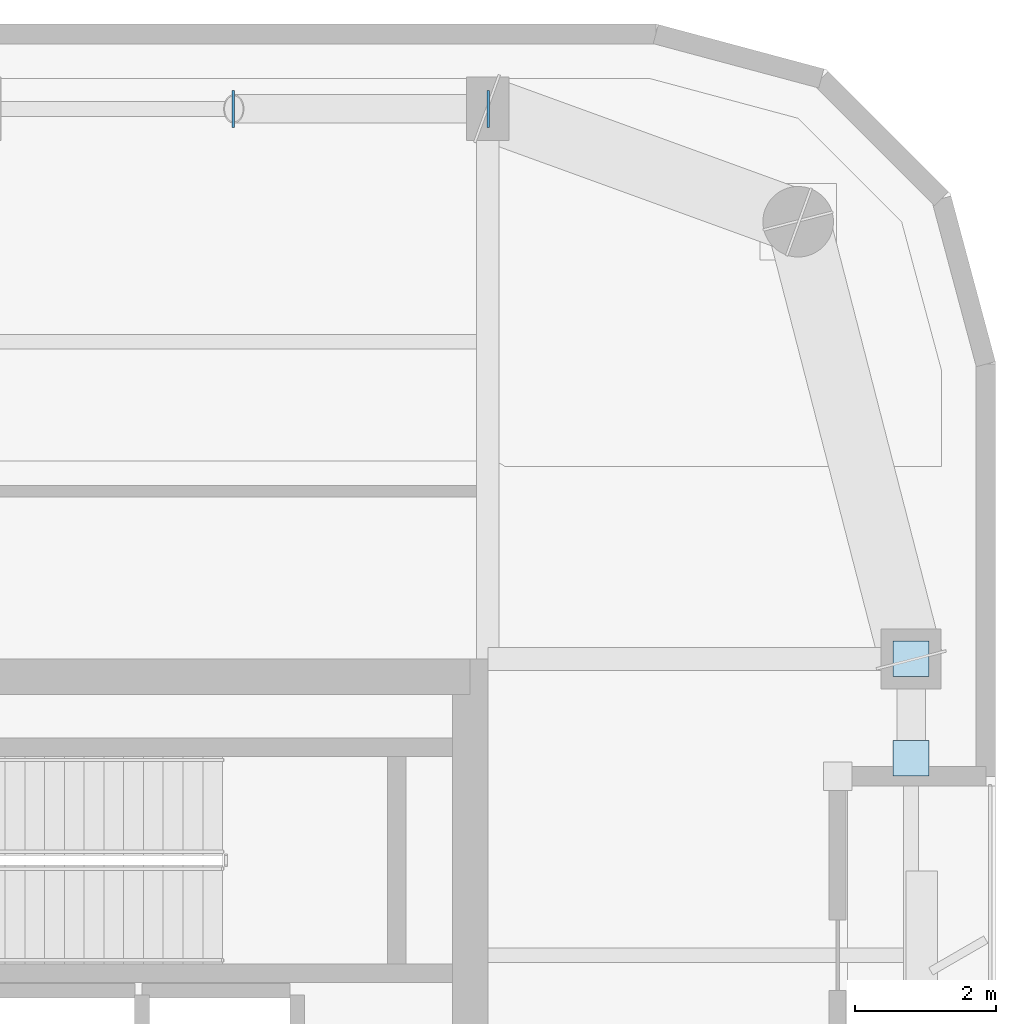
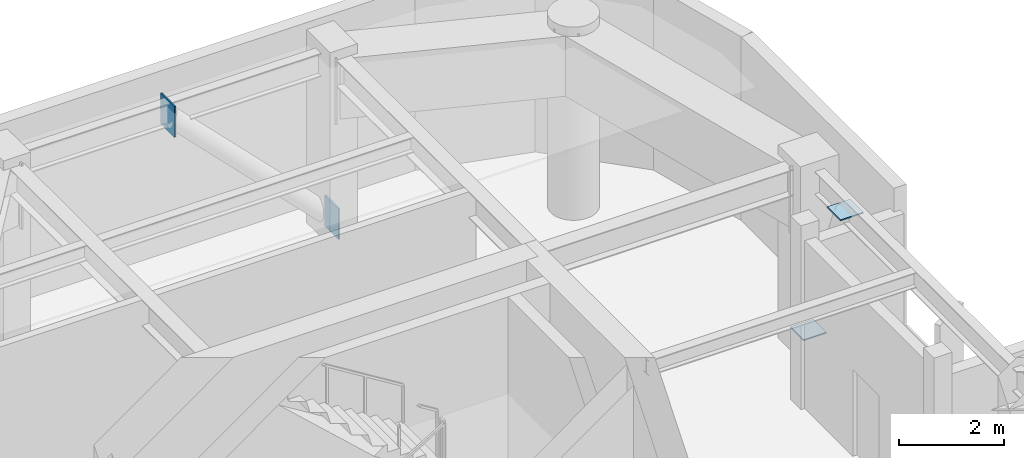
# One storey, part 9 of 16: 4 plates.
"""IFC4 building model written with IfcOpenShell, lengths in metres."""

from ifc_helpers import new_model, si_unit, direction, frame, origin, origin_2d, place, context, subcontext, project, spatial, rectangle, extrude, material, layer, layer_set, type_object, element, save


model = new_model("IFC4")

# Units and contexts
model_context = context("Model", 3, precision=1e-05, world=origin(), true_north=direction((0.0, 1.0)))
body_context = subcontext(model_context, "Body", "Model", "MODEL_VIEW")
ifc_project = project(units=[si_unit("LENGTHUNIT", "METRE"), si_unit("AREAUNIT", "SQUARE_METRE"), si_unit("VOLUMEUNIT", "CUBIC_METRE"), si_unit("PLANEANGLEUNIT", "RADIAN"), si_unit("MASSUNIT", "GRAM", prefix="KILO")], contexts=[model_context])

# Site, building, storey
site_placement = place(None, origin())
site = spatial("IfcSite", under=ifc_project, at=site_placement, CompositionType="ELEMENT")
building_placement = place(site_placement, origin())
building = spatial("IfcBuilding", under=site, at=building_placement, Name="Kiyonajd Concourse Tower", CompositionType="ELEMENT")
storey_placement = place(building_placement, frame((0.0, 0.0, 337.5)))
storey = spatial("IfcBuildingStorey", under=building, at=storey_placement, Name="L85", CompositionType="ELEMENT", Elevation=337.5)

# Plates
ifc_material = material(Name="Steel ASTM A572 Grade 50", Category="steel")
ifc_layer = layer(ifc_material, 0.028076171875)
ifc_layer_set = layer_set([ifc_layer], Name="Steel ASTM A572 Grade 50")
plate_type = type_object("IfcPlateType", Name="PL-CAP-450", PredefinedType="USERDEFINED", material=ifc_layer_set)
for number, where, z_axis, x_axis, name in (
    (1, (63.607666015625, 52.199951171875, -0.06640625), (0.0, 0.0, 1.0), (1.0, 0.0, 0.0), "L85 Hollow Brace End Cap Plate PBN"),
    (2, (59.9921875, 52.199951171875, 3.5791015625), (0.0, 0.0, 1.0), (-1.0, 0.0, 0.0), "L85 Hollow Brace Top Cap Plate PBN"),
):
    element("IfcPlate", number, at=place(storey_placement, frame(where, z_axis=z_axis, x_axis=x_axis)), inside=storey, type_object=plate_type, Name=name, ObjectType="CAP PLATE", PredefinedType="USERDEFINED", context=body_context, shape_type="SweptSolid", body=[
        extrude(rectangle(XDim=0.035888671875, YDim=0.52587890625, at=origin_2d()), origin(), (0.0, 0.0, 1.0), 0.717041015625),
    ])
for number, where, z_axis, x_axis, name in (
    (3, (69.60009765625, 44.404052734375, 0.27587890625), (0.0, 0.0, 1.0), (1.0, 0.0, 0.0), "L85 Hollow Brace End Cap Plate PBE"),
    (4, (69.60009765625, 42.99609375, 3.92626953125), (0.0, 0.0, 1.0), (1.0, 0.0, 0.0), "L85 Hollow Brace Top Cap Plate PBE"),
):
    element("IfcPlate", number, at=place(storey_placement, frame(where, z_axis=z_axis, x_axis=x_axis)), inside=storey, type_object=plate_type, Name=name, ObjectType="CAP PLATE", PredefinedType="USERDEFINED", context=body_context, shape_type="SweptSolid", body=[
        extrude(rectangle(XDim=0.506103515625, YDim=0.506103515625, at=origin_2d()), origin(), (0.0, 0.0, 1.0), 0.028076171875),
    ])

save(model, "model.ifc")
